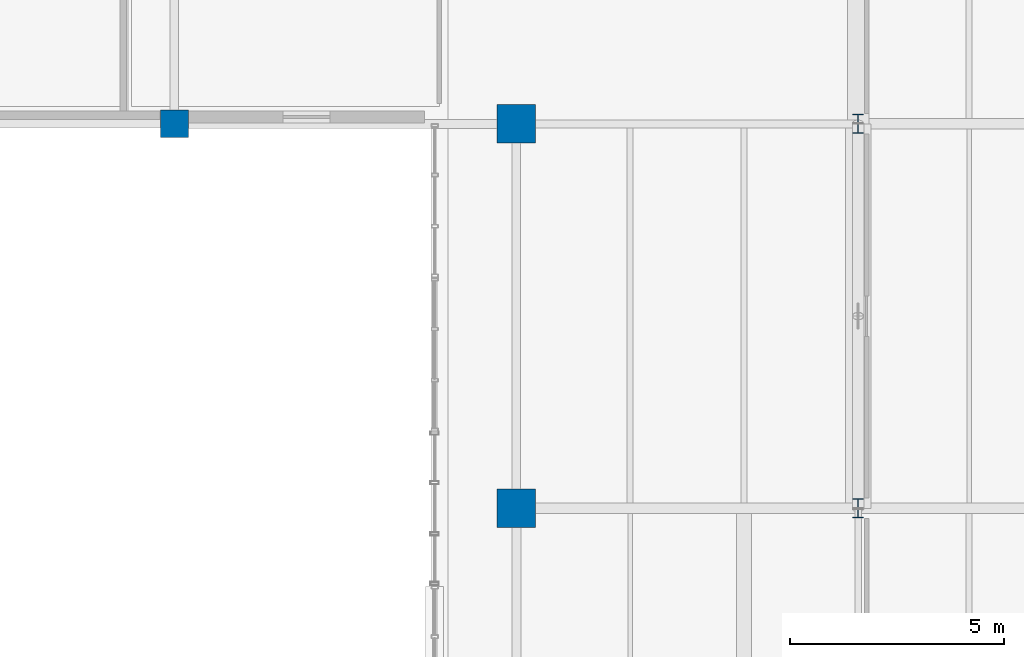
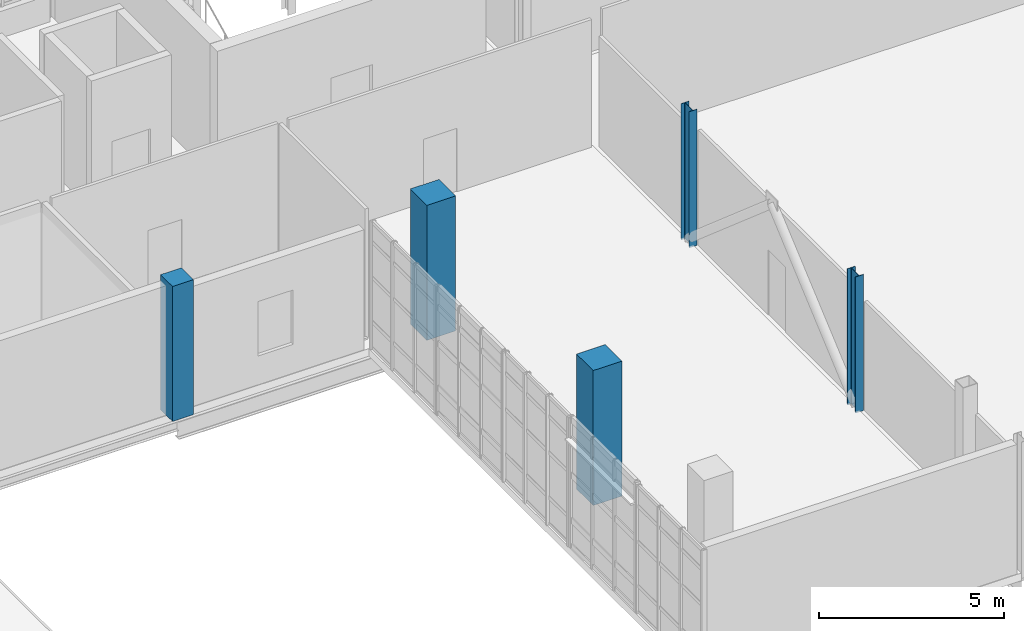
# One storey, part 2 of 38: 5 columns.
"""IFC4 building model written with IfcOpenShell, lengths in metres."""

import ifcopenshell
import ifcopenshell.guid

model = None  # the IFC model being written
_history = None  # IfcOwnerHistory: only IFC2X3 demands one
_inside = {}  # id of a spatial element -> (the spatial element, [elements in it])
_under = {}  # id of a project, library or spatial element -> (it, [spatial elements below it])
_declared = {}  # id of a project -> (the project, [libraries it declares])
_typed = {}  # id of a type object -> (the type object, [elements of that type])
_made_of = {}  # id of a material, layer set ... -> (it, [elements and type objects made of it])


def new_model(schema):
    """Start an empty IFC model of exactly this schema.

    Asked for "IFC4X3", IfcOpenShell would pick the latest addendum, in which some entities
    have other attributes; the version numbers below select the first issue.
    IFC2X3 requires an IfcOwnerHistory on every rooted entity: one is made here for all.
    """
    global model, _history
    if schema == "IFC4X3":
        model = ifcopenshell.file(schema_version=(4, 3, 0, 0))
    else:
        model = ifcopenshell.file(schema=schema)
    _inside.clear()
    _under.clear()
    _declared.clear()
    _typed.clear()
    _made_of.clear()
    _history = None
    if model.schema == "IFC2X3":
        org = make("IfcOrganization", Name="unknown")
        user = make(
            "IfcPersonAndOrganization",
            ThePerson=make("IfcPerson", FamilyName="unknown"),
            TheOrganization=org,
        )
        app = make(
            "IfcApplication",
            ApplicationDeveloper=org,
            Version="unknown",
            ApplicationFullName="unknown",
            ApplicationIdentifier="unknown",
        )
        _history = make(
            "IfcOwnerHistory",
            OwningUser=user,
            OwningApplication=app,
            ChangeAction="ADDED",
            CreationDate=0,
        )
    return model


def make(cls, **values):
    """One entity of the class cls with the attributes given. An attribute that is None is left unset."""
    return model.create_entity(
        cls, **{name: value for name, value in values.items() if value is not None}
    )


def rooted(cls, **values):
    """An entity with a GlobalId (a new one), such as an element, a storey or a relation."""
    return make(cls, GlobalId=ifcopenshell.guid.new(), OwnerHistory=_history, **values)


def si_unit(unit_type, name, prefix=None):
    """IfcSIUnit, for example si_unit("LENGTHUNIT", "METRE", prefix="MILLI")."""
    return make("IfcSIUnit", UnitType=unit_type, Prefix=prefix, Name=name)


def derived_unit(unit_type, elements):
    """IfcDerivedUnit: a product of units, each with its exponent."""
    return make(
        "IfcDerivedUnit",
        Elements=[
            make("IfcDerivedUnitElement", Unit=unit, Exponent=power)
            for unit, power in elements
        ],
        UnitType=unit_type,
    )


def assignment(units):
    """IfcUnitAssignment: the units of a project."""
    return None if units is None else make("IfcUnitAssignment", Units=units)


def point(xyz):
    """IfcCartesianPoint."""
    return None if xyz is None else make("IfcCartesianPoint", Coordinates=xyz)


def direction(xyz):
    """IfcDirection."""
    return None if xyz is None else make("IfcDirection", DirectionRatios=xyz)


def frame(location, z_axis=None, x_axis=None):
    """IfcAxis2Placement3D, a coordinate frame: its origin and axes. An axis left out is left unset."""
    return make(
        "IfcAxis2Placement3D",
        Location=point(location),
        Axis=direction(z_axis),
        RefDirection=direction(x_axis),
    )


def frame_2d(location, x_axis=None):
    """IfcAxis2Placement2D, a coordinate frame in the plane: its origin and x axis."""
    return make(
        "IfcAxis2Placement2D", Location=point(location), RefDirection=direction(x_axis)
    )


def origin():
    """The frame at (0, 0, 0) with its axes left unset."""
    return frame((0.0, 0.0, 0.0))


def origin_2d():
    """The frame at (0, 0) in the plane with its x axis left unset."""
    return frame_2d((0.0, 0.0))


def place(relative_to, where):
    """IfcLocalPlacement: puts the frame where relative to a parent placement (None: the world)."""
    return make(
        "IfcLocalPlacement", PlacementRelTo=relative_to, RelativePlacement=where
    )


def context(
    kind, dimensions, precision=None, world=None, true_north=None, identifier=None
):
    """IfcGeometricRepresentationContext, for example the 3D "Model" context."""
    return make(
        "IfcGeometricRepresentationContext",
        ContextIdentifier=identifier,
        ContextType=kind,
        CoordinateSpaceDimension=dimensions,
        Precision=precision,
        WorldCoordinateSystem=world,
        TrueNorth=true_north,
    )


def subcontext(parent, identifier, kind, view, scale=None):
    """IfcGeometricRepresentationSubContext, for example "Body" below "Model"."""
    return make(
        "IfcGeometricRepresentationSubContext",
        ContextIdentifier=identifier,
        ContextType=kind,
        ParentContext=parent,
        TargetScale=scale,
        TargetView=view,
    )


def project(units=None, contexts=None):
    """IfcProject with its units and contexts."""
    return rooted(
        "IfcProject",
        Name="project",
        RepresentationContexts=contexts,
        UnitsInContext=assignment(units),
    )


def spatial(cls, under=None, at=None, **own):
    """A site, building, storey or space (cls), placed at a placement, below another one or the project."""
    s = rooted(cls, ObjectPlacement=at, **own)
    if under is not None:
        _under.setdefault(under.id(), (under, []))[1].append(s)
    return s


def profile(cls, at=None, kind="AREA", **sizes):
    """A parametric profile (cls). Its sizes go by their IFC names, for example OverallWidth=200.0."""
    return make(cls, ProfileType=kind, Position=at, **sizes)


def rectangle(**sizes):
    """IfcRectangleProfileDef."""
    return profile("IfcRectangleProfileDef", **sizes)


def i_section(**sizes):
    """IfcIShapeProfileDef."""
    return profile("IfcIShapeProfileDef", **sizes)


def extrude(swept, where, along, depth):
    """IfcExtrudedAreaSolid: the profile swept, set in the frame where, extruded along a direction by depth."""
    return make(
        "IfcExtrudedAreaSolid",
        SweptArea=swept,
        Position=where,
        ExtrudedDirection=direction(along),
        Depth=depth,
    )


def shape(context_of_items, identifier, shape_type, items):
    """IfcShapeRepresentation: the items that make up one representation, for example the "Body"."""
    return make(
        "IfcShapeRepresentation",
        ContextOfItems=context_of_items,
        RepresentationIdentifier=identifier,
        RepresentationType=shape_type,
        Items=items,
    )


def material(Name=None, Category=None):
    """IfcMaterial."""
    return make("IfcMaterial", Name=Name, Category=Category)


def material_profile(
    of_material, cross_section, Name=None, Category=None, Priority=None
):
    """IfcMaterialProfile: a cross section and its material."""
    return make(
        "IfcMaterialProfile",
        Name=Name,
        Material=of_material,
        Profile=cross_section,
        Priority=Priority,
        Category=Category,
    )


def profile_set(profiles, Name=None, composite=None):
    """IfcMaterialProfileSet."""
    return make(
        "IfcMaterialProfileSet",
        Name=Name,
        MaterialProfiles=profiles,
        CompositeProfile=composite,
    )


def made_of(thing, what):
    """Note that an element or type object is made of a material, layer set ...; save() writes the relation."""
    if what is not None:
        _made_of.setdefault(what.id(), (what, []))[1].append(thing)
    return thing


def type_object(cls, material=None, **own):
    """A type object (cls), such as IfcWallType, which elements share."""
    return made_of(rooted(cls, **own), material)


def element(
    cls,
    number,
    at=None,
    inside=None,
    cuts=None,
    type_object=None,
    material=None,
    context=None,
    identifier="Body",
    shape_type=None,
    held_by="IfcProductDefinitionShape",
    body=None,
    shapes=None,
    **own,
):
    """One element of the class cls, such as IfcWall. Its Tag is "e" and its number.

    at: its placement. inside: the storey or other place that contains it. cuts: it is an
    opening in that element (IfcRelVoidsElement). A single representation is given by context,
    identifier, shape_type and body (its items); several are given by shapes. held_by: the class
    of the entity that holds the representations. save() writes the other relations.
    """
    e = rooted(cls, Tag="e%d" % number, ObjectPlacement=at, **own)
    if body is not None:
        shapes = [shape(context, identifier, shape_type, body)]
    if shapes is not None:
        e.Representation = make(held_by, Representations=shapes)
    if inside is not None:
        _inside.setdefault(inside.id(), (inside, []))[1].append(e)
    if cuts is not None:
        rooted(
            "IfcRelVoidsElement", RelatingBuildingElement=cuts, RelatedOpeningElement=e
        )
    if type_object is not None:
        _typed.setdefault(type_object.id(), (type_object, []))[1].append(e)
    return made_of(e, material)


def aggregate(whole, parts):
    """IfcRelAggregates: a whole, such as a stair, and the parts it consists of."""
    return rooted("IfcRelAggregates", RelatingObject=whole, RelatedObjects=parts)


def save(model, path):
    """Write the relations noted so far, then the file.

    IfcRelAggregates (storeys below a building ...), IfcRelContainedInSpatialStructure (elements
    in a storey), IfcRelDefinesByType, IfcRelAssociatesMaterial and IfcRelDeclares: one each for
    every whole, place, type object, material and project.
    """
    for whole, parts in _under.values():
        aggregate(whole, parts)
    for where, things in _inside.values():
        rooted(
            "IfcRelContainedInSpatialStructure",
            RelatedElements=things,
            RelatingStructure=where,
        )
    for kind, things in _typed.values():
        rooted("IfcRelDefinesByType", RelatedObjects=things, RelatingType=kind)
    for what, things in _made_of.values():
        rooted("IfcRelAssociatesMaterial", RelatedObjects=things, RelatingMaterial=what)
    for by, libraries in _declared.values():
        rooted("IfcRelDeclares", RelatingContext=by, RelatedDefinitions=libraries)
    model.write(path)


model = new_model("IFC4")

# Units and contexts
model_context = context("Model", 3, precision=1e-05, world=origin(), true_north=direction((0.0, 1.0)))
body_context = subcontext(model_context, "Body", "Model", "MODEL_VIEW")
ifc_project = project(units=[si_unit("LENGTHUNIT", "METRE"), si_unit("AREAUNIT", "SQUARE_METRE"), si_unit("VOLUMEUNIT", "CUBIC_METRE"), si_unit("PLANEANGLEUNIT", "RADIAN"), si_unit("MASSUNIT", "GRAM", prefix="KILO"), derived_unit("THERMALTRANSMITTANCEUNIT", [(si_unit("POWERUNIT", "WATT"), 1), (si_unit("LENGTHUNIT", "METRE"), -2), (si_unit("THERMODYNAMICTEMPERATUREUNIT", "KELVIN"), -1)])], contexts=[model_context])

# Site, building, storey
site_placement = place(None, origin())
site = spatial("IfcSite", under=ifc_project, at=site_placement, CompositionType="ELEMENT")
building_placement = place(site_placement, origin())
building = spatial("IfcBuilding", under=site, at=building_placement, Name="Nallur Shell Playhouse", CompositionType="ELEMENT")
storey_placement = place(building_placement, frame((0.0, 0.0, 24.300048828125)))
storey = spatial("IfcBuildingStorey", under=building, at=storey_placement, Name="L06", CompositionType="ELEMENT", Elevation=24.300048828125)

# Columns
ifc_material_1 = material(Name="Concrete M35", Category="concrete")
ifc_material_profile_1 = material_profile(ifc_material_1, rectangle(XDim=0.64990234375, YDim=0.64990234375, at=origin_2d()), Name="RC 650x650")
ifc_profile_set_1 = profile_set([ifc_material_profile_1], Name="Concrete M35")
column_type_1 = type_object("IfcColumnType", Name="CL-RC-650", PredefinedType="COLUMN", material=ifc_profile_set_1)
column_placement = place(storey_placement, frame((48.0, 65.0, 0.0), z_axis=(0.0, 0.0, 1.0), x_axis=(1.0, 0.0, 0.0)))
element("IfcColumn", 1, at=column_placement, inside=storey, type_object=column_type_1, Name="Column 6-H (L06)", PredefinedType="COLUMN", context=body_context, shape_type="SweptSolid", body=[
    extrude(rectangle(XDim=0.64990234375, YDim=0.64990234375, at=origin_2d()), origin(), (0.0, 0.0, 1.0), 4.4599609375),
])
ifc_material_2 = material(Name="Concrete M40", Category="concrete")
ifc_material_profile_2 = material_profile(ifc_material_2, rectangle(XDim=0.89990234375, YDim=0.89990234375, at=origin_2d()), Name="RC 900x900")
ifc_profile_set_2 = profile_set([ifc_material_profile_2], Name="Concrete M40")
column_type_2 = type_object("IfcColumnType", Name="CL-RC-900", PredefinedType="COLUMN", material=ifc_profile_set_2)
for number, where, z_axis, x_axis, name in (
    (2, (56.0, 56.0, 0.0), (0.0, 0.0, 1.0), (1.0, 0.0, 0.0), "Column 7-G (L06)"),
    (3, (56.0, 65.0, 0.0), (0.0, 0.0, 1.0), (1.0, 0.0, 0.0), "Column 7-H (L06)"),
):
    element("IfcColumn", number, at=place(storey_placement, frame(where, z_axis=z_axis, x_axis=x_axis)), inside=storey, type_object=column_type_2, Name=name, PredefinedType="COLUMN", context=body_context, shape_type="SweptSolid", body=[
        extrude(rectangle(XDim=0.89990234375, YDim=0.89990234375, at=origin_2d()), origin(), (0.0, 0.0, 1.0), 4.4599609375),
    ])
ifc_material_3 = material(Name="Steel E350", Category="steel")
ifc_material_profile_3 = material_profile(ifc_material_3, i_section(OverallWidth=0.25, OverallDepth=0.449951171875, WebThickness=0.01123046875, FlangeThickness=0.013671875, FilletRadius=0.014892578125, at=origin_2d()), Name="ISHB 450")
ifc_profile_set_3 = profile_set([ifc_material_profile_3], Name="Steel E350")
column_type_3 = type_object("IfcColumnType", Name="CL-ST-ISHB450", PredefinedType="COLUMN", material=ifc_profile_set_3)
for number, where, z_axis, x_axis, name in (
    (4, (64.0, 56.0, 0.0), (0.0, 0.0, 1.0), (1.0, 0.0, 0.0), "Column 8-G (L06)"),
    (5, (64.0, 65.0, 0.0), (0.0, 0.0, 1.0), (1.0, 0.0, 0.0), "Column 8-H (L06)"),
):
    element("IfcColumn", number, at=place(storey_placement, frame(where, z_axis=z_axis, x_axis=x_axis)), inside=storey, type_object=column_type_3, Name=name, PredefinedType="COLUMN", context=body_context, shape_type="SweptSolid", body=[
        extrude(i_section(OverallWidth=0.25, OverallDepth=0.449951171875, WebThickness=0.01123046875, FlangeThickness=0.013671875, FilletRadius=0.014892578125, at=origin_2d()), origin(), (0.0, 0.0, 1.0), 4.5),
    ])

save(model, "model.ifc")
